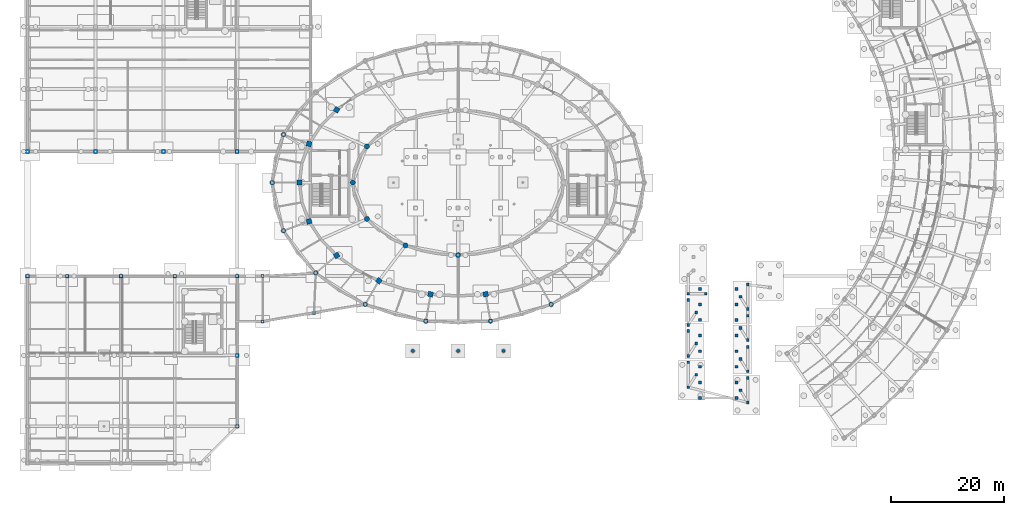
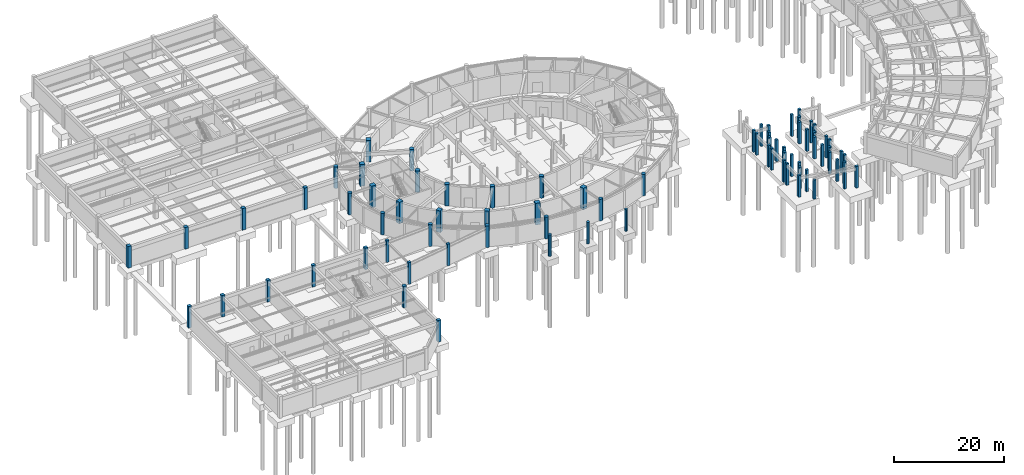
# One storey, part 7 of 42: 77 columns.
"""IFC4 building model written with IfcOpenShell, lengths in metres."""

from ifc_helpers import new_model, si_unit, direction, frame, origin, origin_2d, place, context, subcontext, project, spatial, rectangle, circle, extrude, material, material_profile, profile_set, type_object, element, save


model = new_model("IFC4")

# Units and contexts
model_context = context("Model", 3, precision=1e-05, world=origin(), true_north=direction((0.0, 1.0)))
body_context = subcontext(model_context, "Body", "Model", "MODEL_VIEW")
ifc_project = project(units=[si_unit("LENGTHUNIT", "METRE"), si_unit("AREAUNIT", "SQUARE_METRE"), si_unit("VOLUMEUNIT", "CUBIC_METRE"), si_unit("PLANEANGLEUNIT", "RADIAN"), si_unit("MASSUNIT", "GRAM", prefix="KILO")], contexts=[model_context])

# Site, building, storey
site_placement = place(None, origin())
site = spatial("IfcSite", under=ifc_project, at=site_placement, CompositionType="ELEMENT")
building_placement = place(site_placement, origin())
building = spatial("IfcBuilding", under=site, at=building_placement, Name="Tarnveldt Headland Concert Hall", CompositionType="ELEMENT")
storey_placement = place(building_placement, frame((0.0, 0.0, -4.800048828125)))
storey = spatial("IfcBuildingStorey", under=building, at=storey_placement, Name="B1", CompositionType="ELEMENT", Elevation=-4.800048828125)

# Columns
ifc_material = material(Name="Concrete C40/50", Category="concrete")
ifc_material_profile_1 = material_profile(ifc_material, rectangle(XDim=0.5, YDim=0.5, at=origin_2d()), Name="RC 500x500", Category="concrete")
ifc_profile_set_1 = profile_set([ifc_material_profile_1], Name="Concrete C40/50")
column_type_1 = type_object("IfcColumnType", Name="CC-500", PredefinedType="COLUMN", material=ifc_profile_set_1)
for number, where, z_axis, x_axis, name in (
    (1, (134.60009765625, 15.699951171875, 0.0), (0.0, 0.0, 1.0), (1.0, 0.0, 0.0), "Column RMPE1S B1"),
    (2, (134.60009765625, 20.0, 0.0), (0.0, 0.0, 1.0), (1.0, 0.0, 0.0), "Column RMPE1N B1"),
    (3, (133.300048828125, 17.85009765625, 0.0), (0.0, 0.0, 1.0), (1.0, 0.0, 0.0), "Column RMPE1M B1"),
    (4, (124.10009765625, 18.39990234375, 0.0), (0.0, 0.0, 1.0), (1.0, 0.0, 0.0), "Column RMPW1S B1"),
    (5, (124.10009765625, 22.800048828125, 0.0), (0.0, 0.0, 1.0), (1.0, 0.0, 0.0), "Column RMPW1N B1"),
    (6, (125.5, 20.60009765625, 0.0), (0.0, 0.0, 1.0), (1.0, 0.0, 0.0), "Column RMPW1M B1"),
    (7, (134.60009765625, 21.199951171875, 0.0), (0.0, 0.0, 1.0), (1.0, 0.0, 0.0), "Column RMPE2S B1"),
    (8, (134.60009765625, 25.5, 0.0), (0.0, 0.0, 1.0), (1.0, 0.0, 0.0), "Column RMPE2N B1"),
    (9, (133.300048828125, 23.35009765625, 0.0), (0.0, 0.0, 1.0), (1.0, 0.0, 0.0), "Column RMPE2M B1"),
    (10, (124.10009765625, 23.89990234375, 0.0), (0.0, 0.0, 1.0), (1.0, 0.0, 0.0), "Column RMPW2S B1"),
    (11, (124.10009765625, 28.300048828125, 0.0), (0.0, 0.0, 1.0), (1.0, 0.0, 0.0), "Column RMPW2N B1"),
    (12, (125.5, 26.10009765625, 0.0), (0.0, 0.0, 1.0), (1.0, 0.0, 0.0), "Column RMPW2M B1"),
    (13, (134.60009765625, 26.699951171875, 0.0), (0.0, 0.0, 1.0), (1.0, 0.0, 0.0), "Column RMPE3S B1"),
    (14, (134.60009765625, 31.0, 0.0), (0.0, 0.0, 1.0), (1.0, 0.0, 0.0), "Column RMPE3N B1"),
    (15, (133.300048828125, 28.85009765625, 0.0), (0.0, 0.0, 1.0), (1.0, 0.0, 0.0), "Column RMPE3M B1"),
    (16, (124.10009765625, 29.39990234375, 0.0), (0.0, 0.0, 1.0), (1.0, 0.0, 0.0), "Column RMPW3S B1"),
    (17, (124.10009765625, 33.800048828125, 0.0), (0.0, 0.0, 1.0), (1.0, 0.0, 0.0), "Column RMPW3N B1"),
    (18, (125.5, 31.60009765625, 0.0), (0.0, 0.0, 1.0), (1.0, 0.0, 0.0), "Column RMPW3M B1"),
    (19, (134.60009765625, 32.199951171875, 0.0), (0.0, 0.0, 1.0), (1.0, 0.0, 0.0), "Column RMPE4S B1"),
    (20, (134.60009765625, 36.5, 0.0), (0.0, 0.0, 1.0), (1.0, 0.0, 0.0), "Column RMPE4N B1"),
    (21, (133.300048828125, 34.35009765625, 0.0), (0.0, 0.0, 1.0), (1.0, 0.0, 0.0), "Column RMPE4M B1"),
    (22, (124.10009765625, 34.89990234375, 0.0), (0.0, 0.0, 1.0), (1.0, 0.0, 0.0), "Column RMPW4S B1"),
    (23, (127.199951171875, 34.89990234375, 0.0), (0.0, 0.0, 1.0), (1.0, 0.0, 0.0), "Column RMPW4E B1"),
):
    element("IfcColumn", number, at=place(storey_placement, frame(where, z_axis=z_axis, x_axis=x_axis)), inside=storey, type_object=column_type_1, Name=name, PredefinedType="COLUMN", context=body_context, shape_type="SweptSolid", body=[
        extrude(rectangle(XDim=0.5, YDim=0.5, at=origin_2d()), origin(), (0.0, 0.0, 1.0), 4.800048828125),
    ])
for number, where, z_axis, x_axis, name in (
    (24, (126.199951171875, 16.5, 0.0), (0.0, 0.0, 1.0), (1.0, 0.0, 0.0), "Column RFSP01W B1"),
    (25, (132.60009765625, 16.5, 0.0), (0.0, 0.0, 1.0), (1.0, 0.0, 0.0), "Column RFSP01E B1"),
):
    element("IfcColumn", number, at=place(storey_placement, frame(where, z_axis=z_axis, x_axis=x_axis)), inside=storey, type_object=column_type_1, Name=name, PredefinedType="COLUMN", context=body_context, shape_type="SweptSolid", body=[
        extrude(rectangle(XDim=0.5, YDim=0.5, at=origin_2d()), origin(), (0.0, 0.0, 1.0), 4.25),
    ])
for number, where, z_axis, x_axis, name in (
    (26, (126.199951171875, 19.25, 0.0), (0.0, 0.0, 1.0), (1.0, 0.0, 0.0), "Column RFSP02W B1"),
    (27, (132.60009765625, 19.25, 0.0), (0.0, 0.0, 1.0), (1.0, 0.0, 0.0), "Column RFSP02E B1"),
    (28, (126.199951171875, 22.0, 0.0), (0.0, 0.0, 1.0), (1.0, 0.0, 0.0), "Column RFSP03W B1"),
    (29, (132.60009765625, 22.0, 0.0), (0.0, 0.0, 1.0), (1.0, 0.0, 0.0), "Column RFSP03E B1"),
    (30, (126.199951171875, 24.75, 0.0), (0.0, 0.0, 1.0), (1.0, 0.0, 0.0), "Column RFSP04W B1"),
    (31, (132.60009765625, 24.75, 0.0), (0.0, 0.0, 1.0), (1.0, 0.0, 0.0), "Column RFSP04E B1"),
    (32, (126.199951171875, 27.5, 0.0), (0.0, 0.0, 1.0), (1.0, 0.0, 0.0), "Column RFSP05W B1"),
    (33, (132.60009765625, 27.5, 0.0), (0.0, 0.0, 1.0), (1.0, 0.0, 0.0), "Column RFSP05E B1"),
    (34, (126.199951171875, 30.25, 0.0), (0.0, 0.0, 1.0), (1.0, 0.0, 0.0), "Column RFSP06W B1"),
    (35, (132.60009765625, 30.25, 0.0), (0.0, 0.0, 1.0), (1.0, 0.0, 0.0), "Column RFSP06E B1"),
    (36, (126.199951171875, 33.0, 0.0), (0.0, 0.0, 1.0), (1.0, 0.0, 0.0), "Column RFSP07W B1"),
    (37, (132.60009765625, 33.0, 0.0), (0.0, 0.0, 1.0), (1.0, 0.0, 0.0), "Column RFSP07E B1"),
    (38, (126.199951171875, 35.75, 0.0), (0.0, 0.0, 1.0), (1.0, 0.0, 0.0), "Column RFSP08W B1"),
    (39, (132.60009765625, 35.75, 0.0), (0.0, 0.0, 1.0), (1.0, 0.0, 0.0), "Column RFSP08E B1"),
):
    element("IfcColumn", number, at=place(storey_placement, frame(where, z_axis=z_axis, x_axis=x_axis)), inside=storey, type_object=column_type_1, Name=name, PredefinedType="COLUMN", context=body_context, shape_type="SweptSolid", body=[
        extrude(rectangle(XDim=0.5, YDim=0.5, at=origin_2d()), origin(), (0.0, 0.0, 1.0), 4.800048828125),
    ])
ifc_material_profile_2 = material_profile(ifc_material, rectangle(XDim=0.550048828125, YDim=0.550048828125, at=origin_2d()), Name="RC 550x550", Category="concrete")
ifc_profile_set_2 = profile_set([ifc_material_profile_2], Name="Concrete C40/50")
column_type_2 = type_object("IfcColumnType", Name="CC-550", PredefinedType="COLUMN", material=ifc_profile_set_2)
for number, where, z_axis, x_axis, name in (
    (40, (49.0, 30.0, 0.0), (0.0, 0.0, 1.0), (1.0, 0.0, 0.0), "Column V4LK01 B1"),
    (41, (49.0, 38.0, 0.0), (0.0, 0.0, 1.0), (1.0, 0.0, 0.0), "Column V4LK02 B1"),
    (42, (58.050048828125, 31.51123046875, 0.0), (0.0, 0.0, 1.0), (1.0, 0.0, 0.0), "Column V4LK03 B1"),
):
    element("IfcColumn", number, at=place(storey_placement, frame(where, z_axis=z_axis, x_axis=x_axis)), inside=storey, type_object=column_type_2, Name=name, PredefinedType="COLUMN", context=body_context, shape_type="SweptSolid", body=[
        extrude(rectangle(XDim=0.550048828125, YDim=0.550048828125, at=origin_2d()), origin(), (0.0, 0.0, 1.0), 4.800048828125),
    ])
ifc_material_profile_3 = material_profile(ifc_material, rectangle(XDim=0.64990234375, YDim=0.64990234375, at=origin_2d()), Name="RC 650x650", Category="concrete")
ifc_profile_set_3 = profile_set([ifc_material_profile_3], Name="Concrete C40/50")
column_type_3 = type_object("IfcColumnType", Name="CC-650", PredefinedType="COLUMN", material=ifc_profile_set_3)
for number, where, z_axis, x_axis, name in (
    (43, (44.5, 11.5, 0.0), (0.0, 0.0, 1.0), (1.0, 0.0, 0.0), "Column V4C06 B1"),
    (44, (44.5, 24.0, 0.0), (0.0, 0.0, 1.0), (1.0, 0.0, 0.0), "Column V4C07 B1"),
    (45, (44.5, 38.0, 0.0), (0.0, 0.0, 1.0), (1.0, 0.0, 0.0), "Column V4C08 B1"),
    (46, (33.5, 38.0, 0.0), (0.0, 0.0, 1.0), (1.0, 0.0, 0.0), "Column V4C09 B1"),
    (47, (24.0, 38.0, 0.0), (0.0, 0.0, 1.0), (1.0, 0.0, 0.0), "Column V4C10 B1"),
    (48, (14.5, 38.0, 0.0), (0.0, 0.0, 1.0), (1.0, 0.0, 0.0), "Column V4C11 B1"),
    (49, (7.5, 38.0, 0.0), (0.0, 0.0, 1.0), (1.0, 0.0, 0.0), "Column V4C12 B1"),
):
    element("IfcColumn", number, at=place(storey_placement, frame(where, z_axis=z_axis, x_axis=x_axis)), inside=storey, type_object=column_type_3, Name=name, PredefinedType="COLUMN", context=body_context, shape_type="SweptSolid", body=[
        extrude(rectangle(XDim=0.64990234375, YDim=0.64990234375, at=origin_2d()), origin(), (0.0, 0.0, 1.0), 4.800048828125),
    ])
ifc_material_profile_4 = material_profile(ifc_material, rectangle(XDim=0.699951171875, YDim=0.699951171875, at=origin_2d()), Name="RC 700x700", Category="concrete")
ifc_profile_set_4 = profile_set([ifc_material_profile_4], Name="Concrete C40/50")
column_type_4 = type_object("IfcColumnType", Name="CC-700", PredefinedType="COLUMN", material=ifc_profile_set_4)
for number, where, z_axis, x_axis, name in (
    (50, (7.5, 60.0, 0.0), (0.0, 0.0, 1.0), (1.0, 0.0, 0.0), "Column V5C01 B1"),
    (51, (19.5, 60.0, 0.0), (0.0, 0.0, 1.0), (1.0, 0.0, 0.0), "Column V5C05 B1"),
    (52, (31.5, 60.0, 0.0), (0.0, 0.0, 1.0), (1.0, 0.0, 0.0), "Column V5C11 B1"),
    (53, (44.5, 60.0, 0.0), (0.0, 0.0, 1.0), (1.0, 0.0, 0.0), "Column V5C16 B1"),
):
    element("IfcColumn", number, at=place(storey_placement, frame(where, z_axis=z_axis, x_axis=x_axis)), inside=storey, type_object=column_type_4, Name=name, PredefinedType="COLUMN", context=body_context, shape_type="SweptSolid", body=[
        extrude(rectangle(XDim=0.699951171875, YDim=0.699951171875, at=origin_2d()), origin(), (0.0, 0.0, 1.0), 4.800048828125),
    ])
ifc_material_profile_5 = material_profile(ifc_material, rectangle(XDim=0.89990234375, YDim=0.89990234375, at=origin_2d()), Name="RC 900x900", Category="concrete")
ifc_profile_set_5 = profile_set([ifc_material_profile_5], Name="Concrete C40/50")
column_type_5 = type_object("IfcColumnType", Name="CC-900", PredefinedType="COLUMN", material=ifc_profile_set_5)
for number, where, z_axis, x_axis, name in (
    (54, (62.05078125, 67.355712890625, 0.0), (0.0, 0.0, 1.0), (-0.85770617722, 0.514140169175, 0.0), "Column V2DC08 B1"),
    (55, (57.188720703125, 61.34033203125, 0.0), (0.0, 0.0, 1.0), (-0.967841021032, 0.251562632376, 0.0), "Column V2DC09 B1"),
    (56, (55.5, 54.5, 0.0), (0.0, 0.0, 1.0), (-1.0, 0.0, 0.0), "Column V2DC10 B1"),
    (57, (57.188720703125, 47.65966796875, 0.0), (0.0, 0.0, 1.0), (-0.967841021032, -0.251562632376, 0.0), "Column V2DC11 B1"),
    (58, (62.05078125, 41.644287109375, 0.0), (0.0, 0.0, 1.0), (-0.85770617722, -0.514140169175, 0.0), "Column V2DC12 B1"),
    (59, (69.5, 37.179443359375, 0.0), (0.0, 0.0, 1.0), (-0.628641963719, -0.777694851116, 0.0), "Column V2DC13 B1"),
    (60, (78.637939453125, 34.8037109375, 0.0), (0.0, 0.0, 1.0), (-0.239719743609, -0.970842131618, 0.0), "Column V2DC14 B1"),
    (61, (88.362060546875, 34.8037109375, 0.0), (0.0, 0.0, 1.0), (0.239719743609, -0.970842131618, 0.0), "Column V2DC15 B1"),
):
    element("IfcColumn", number, at=place(storey_placement, frame(where, z_axis=z_axis, x_axis=x_axis)), inside=storey, type_object=column_type_5, Name=name, PredefinedType="COLUMN", context=body_context, shape_type="SweptSolid", body=[
        extrude(rectangle(XDim=0.89990234375, YDim=0.89990234375, at=origin_2d()), origin(), (0.0, 0.0, 1.0), 4.800048828125),
    ])
ifc_material_profile_6 = material_profile(ifc_material, circle(Radius=0.300048828125, at=origin_2d()), Name="RC D600", Category="concrete")
ifc_profile_set_6 = profile_set([ifc_material_profile_6], Name="Concrete C40/50")
column_type_6 = type_object("IfcColumnType", Name="DC-600", PredefinedType="COLUMN", material=ifc_profile_set_6)
for number, where, z_axis, x_axis, name in (
    (62, (75.5, 24.800048828125, 0.0), (0.0, 0.0, 1.0), (1.0, 0.0, 0.0), "Column V1CAN01 B1"),
    (63, (83.5, 24.800048828125, 0.0), (0.0, 0.0, 1.0), (1.0, 0.0, 0.0), "Column V1CAN02 B1"),
    (64, (91.5, 24.800048828125, 0.0), (0.0, 0.0, 1.0), (1.0, 0.0, 0.0), "Column V1CAN03 B1"),
):
    element("IfcColumn", number, at=place(storey_placement, frame(where, z_axis=z_axis, x_axis=x_axis)), inside=storey, type_object=column_type_6, Name=name, PredefinedType="COLUMN", context=body_context, shape_type="SweptSolid", body=[
        extrude(circle(Radius=0.300048828125, at=origin_2d()), origin(), (0.0, 0.0, 1.0), 4.800048828125),
    ])
ifc_material_profile_7 = material_profile(ifc_material, circle(Radius=0.39990234375, at=origin_2d()), Name="RC D800", Category="concrete")
ifc_profile_set_7 = profile_set([ifc_material_profile_7], Name="Concrete C40/50")
column_type_7 = type_object("IfcColumnType", Name="DC-800", PredefinedType="COLUMN", material=ifc_profile_set_7)
for number, where, z_axis, x_axis, name in (
    (65, (52.677978515625, 62.982177734375, 0.0), (0.0, 0.0, 1.0), (-0.964141737836, 0.265387847052, 0.0), "Column V1C09 B1"),
    (66, (50.699951171875, 54.5, 0.0), (0.0, 0.0, 1.0), (-1.0, 0.0, 0.0), "Column V1C10 B1"),
    (67, (52.677978515625, 46.017822265625, 0.0), (0.0, 0.0, 1.0), (-0.964141737836, -0.265387847052, 0.0), "Column V1C11 B1"),
    (68, (58.373779296875, 38.558837890625, 0.0), (0.0, 0.0, 1.0), (-0.84442143206, -0.535679423796, 0.0), "Column V1C12 B1"),
    (69, (67.10009765625, 33.022705078125, 0.0), (0.0, 0.0, 1.0), (-0.606959801962, -0.79473253287, 0.0), "Column V1C13 B1"),
    (70, (77.80419921875, 30.076904296875, 0.0), (0.0, 0.0, 1.0), (-0.227161248969, -0.973857159427, 0.0), "Column V1C14 B1"),
    (71, (89.19580078125, 30.076904296875, 0.0), (0.0, 0.0, 1.0), (0.227161248969, -0.973857159427, 0.0), "Column V1C15 B1"),
    (72, (99.89990234375, 33.022705078125, 0.0), (0.0, 0.0, 1.0), (0.606959801962, -0.79473253287, 0.0), "Column V1C16 B1"),
):
    element("IfcColumn", number, at=place(storey_placement, frame(where, z_axis=z_axis, x_axis=x_axis)), inside=storey, type_object=column_type_7, Name=name, PredefinedType="COLUMN", context=body_context, shape_type="SweptSolid", body=[
        extrude(circle(Radius=0.39990234375, at=origin_2d()), origin(), (0.0, 0.0, 1.0), 4.800048828125),
    ])
ifc_material_profile_8 = material_profile(ifc_material, circle(Radius=0.449951171875, at=origin_2d()), Name="RC D900", Category="concrete")
ifc_profile_set_8 = profile_set([ifc_material_profile_8], Name="Concrete C40/50")
column_type_8 = type_object("IfcColumnType", Name="DC-900", PredefinedType="COLUMN", material=ifc_profile_set_8)
for number, where, z_axis, x_axis, name in (
    (73, (67.391845703125, 60.89990234375, 0.0), (0.0, 0.0, 1.0), (-0.929326043111, 0.369260213935, 0.0), "Column V2IC06 B1"),
    (74, (64.89990234375, 54.5, 0.0), (0.0, 0.0, 1.0), (-1.0, 0.0, 0.0), "Column V2IC07 B1"),
    (75, (67.391845703125, 48.10009765625, 0.0), (0.0, 0.0, 1.0), (-0.929326043111, -0.369260213935, 0.0), "Column V2IC08 B1"),
    (76, (74.199951171875, 43.414794921875, 0.0), (0.0, 0.0, 1.0), (-0.642787609687, -0.766044443119, 0.0), "Column V2IC09 B1"),
    (77, (83.5, 41.699951171875, 0.0), (0.0, 0.0, 1.0), (0.0, -1.0, 0.0), "Column V2IC10 B1"),
):
    element("IfcColumn", number, at=place(storey_placement, frame(where, z_axis=z_axis, x_axis=x_axis)), inside=storey, type_object=column_type_8, Name=name, PredefinedType="COLUMN", context=body_context, shape_type="SweptSolid", body=[
        extrude(circle(Radius=0.449951171875, at=origin_2d()), origin(), (0.0, 0.0, 1.0), 4.800048828125),
    ])

save(model, "model.ifc")
